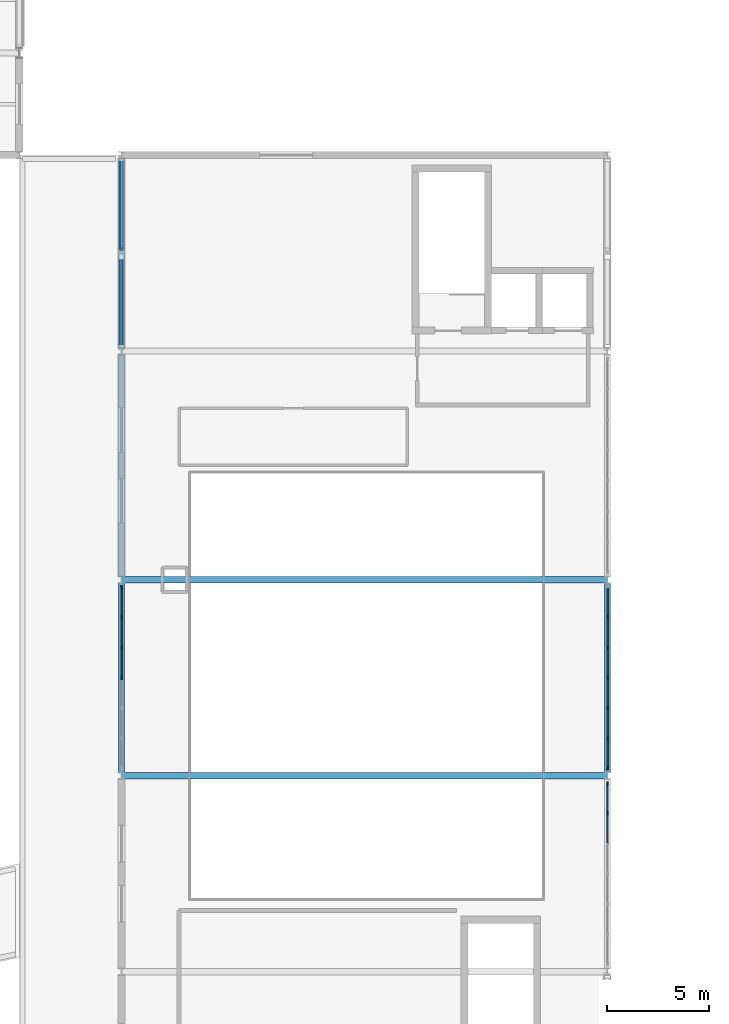
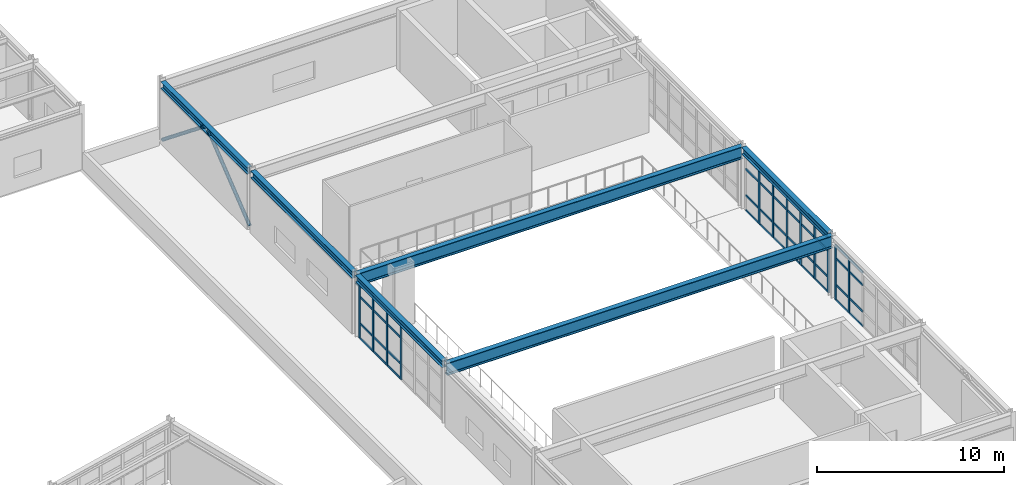
# One storey, part 38 of 76: 57 members, 6 beams, 3 elements without a shape of their own.
"""IFC4 building model written with IfcOpenShell, lengths in metres."""

from ifc_helpers import new_model, si_unit, direction, frame, origin, origin_2d, place, context, subcontext, project, spatial, rectangle, hollow_circle, i_section, extrude, material, layer, layer_set, material_profile, profile_set, type_object, element, aggregate, save


model = new_model("IFC4")

# Units and contexts
model_context = context("Model", 3, precision=1e-05, world=origin(), true_north=direction((0.0, 1.0)))
body_context = subcontext(model_context, "Body", "Model", "MODEL_VIEW")
ifc_project = project(units=[si_unit("LENGTHUNIT", "METRE"), si_unit("AREAUNIT", "SQUARE_METRE"), si_unit("VOLUMEUNIT", "CUBIC_METRE"), si_unit("PLANEANGLEUNIT", "RADIAN"), si_unit("MASSUNIT", "GRAM", prefix="KILO")], contexts=[model_context])

# Site, building, storey
site_placement = place(None, origin())
site = spatial("IfcSite", under=ifc_project, at=site_placement, CompositionType="ELEMENT")
building_placement = place(site_placement, origin())
building = spatial("IfcBuilding", under=site, at=building_placement, Name="Nordkorset Police Headquarters", CompositionType="ELEMENT")
storey_placement = place(building_placement, frame((0.0, 0.0, 13.64990234375)))
storey = spatial("IfcBuildingStorey", under=building, at=storey_placement, Name="L03", CompositionType="ELEMENT", Elevation=13.64990234375)

# Members
ifc_material_1 = material(Name="Steel S355J2", Category="steel")
ifc_material_profile_1 = material_profile(ifc_material_1, hollow_circle(Radius=0.109619140625, WallThickness=0.010009765625, at=origin_2d()), Name="CHS 219.1x10")
ifc_profile_set_1 = profile_set([ifc_material_profile_1], Name="Steel S355J2")
member_type_1 = type_object("IfcMemberType", Name="Brace_CHS_219.1x10", PredefinedType="BRACE", material=ifc_profile_set_1)
for number, where, z_axis, x_axis, name in (
    (1, (91.39990234375, 88.169921875, 0.2001953125), (0.0, 0.780898065567, 0.624658475644), (-1.0, 0.0, 0.0), "Lateral Chevron Brace BF-V5-A L03 D1"),
    (2, (91.39990234375, 97.429931640625, 0.2001953125), (0.0, -0.780881348411, 0.624679373522), (1.0, 0.0, 0.0), "Lateral Chevron Brace BF-V5-A L03 D2"),
):
    element("IfcMember", number, at=place(storey_placement, frame(where, z_axis=z_axis, x_axis=x_axis)), inside=storey, type_object=member_type_1, Name=name, PredefinedType="BRACE", context=body_context, shape_type="SweptSolid", body=[
        extrude(hollow_circle(Radius=0.109619140625, WallThickness=0.010009765625, at=origin_2d()), origin(), (0.0, 0.0, 1.0), 5.69873046875),
    ])

# Curtain wall, members
ifc_material_2 = material(Name="Aluminium alloy AW-6060", Category="aluminium")
ifc_layer = layer(ifc_material_2, 0.179931640625, Name="Aluminium alloy AW-6060")
ifc_layer_set = layer_set([ifc_layer], Name="Aluminium alloy AW-6060")
curtain_wall_type = type_object("IfcCurtainWallType", Name="CW_Unit_888x356", PredefinedType="USERDEFINED", material=ifc_layer_set)
curtain_wall_1_placement = place(storey_placement, origin())
curtain_wall_1 = element("IfcCurtainWall", 3, at=curtain_wall_1_placement, inside=storey, type_object=curtain_wall_type, Name="Unitised Curtain Wall L03 V5E-1", ObjectType="UNITISED CURTAIN WALL", PredefinedType="USERDEFINED")
ifc_material_3 = material(Name="Aluminium alloy AW-6060", Category="aluminium")
ifc_material_profile_2 = material_profile(ifc_material_3, rectangle(XDim=0.06494140625, YDim=0.179931640625, at=origin_2d()), Name="ALU MULL 65x180")
ifc_profile_set_2 = profile_set([ifc_material_profile_2], Name="Aluminium alloy AW-6060")
member_type_2 = type_object("IfcMemberType", Name="CW_Mullion_65x180", PredefinedType="MULLION", material=ifc_profile_set_2)
member_1_placement = place(storey_placement, frame((115.199951171875, 65.360107421875, 0.0), z_axis=(0.0, 0.0, 1.0), x_axis=(-1.0, 0.0, 0.0)))
member_1 = element("IfcMember", 4, at=member_1_placement, type_object=member_type_2, Name="CW-109 mullion 6", PredefinedType="MULLION", context=body_context, shape_type="SweptSolid", body=[
    extrude(rectangle(XDim=0.06494140625, YDim=0.179931640625, at=origin_2d()), origin(), (0.0, 0.0, 1.0), 3.565185546875),
])
member_2_placement = place(storey_placement, frame((115.199951171875, 66.8076171875, 0.0), z_axis=(0.0, 0.0, 1.0), x_axis=(-1.0, 0.0, 0.0)))
member_2 = element("IfcMember", 5, at=member_2_placement, type_object=member_type_2, Name="CW-109 mullion 7", PredefinedType="MULLION", context=body_context, shape_type="SweptSolid", body=[
    extrude(rectangle(XDim=0.06494140625, YDim=0.179931640625, at=origin_2d()), origin(), (0.0, 0.0, 1.0), 3.565185546875),
])

curtain_wall_2_placement = place(storey_placement, origin())
curtain_wall_2 = element("IfcCurtainWall", 6, at=curtain_wall_2_placement, inside=storey, type_object=curtain_wall_type, Name="Unitised Curtain Wall L03 V5E-2", ObjectType="UNITISED CURTAIN WALL", PredefinedType="USERDEFINED")
member_3_placement = place(storey_placement, frame((115.199951171875, 67.592529296875, 0.0), z_axis=(0.0, 0.0, 1.0), x_axis=(-1.0, 0.0, 0.0)))
member_3 = element("IfcMember", 7, at=member_3_placement, type_object=member_type_2, Name="CW-109 mullion 1", PredefinedType="MULLION", context=body_context, shape_type="SweptSolid", body=[
    extrude(rectangle(XDim=0.06494140625, YDim=0.179931640625, at=origin_2d()), origin(), (0.0, 0.0, 1.0), 3.565185546875),
])
member_4_placement = place(storey_placement, frame((115.199951171875, 69.0400390625, 0.0), z_axis=(0.0, 0.0, 1.0), x_axis=(-1.0, 0.0, 0.0)))
member_4 = element("IfcMember", 8, at=member_4_placement, type_object=member_type_2, Name="CW-109 mullion 2", PredefinedType="MULLION", context=body_context, shape_type="SweptSolid", body=[
    extrude(rectangle(XDim=0.06494140625, YDim=0.179931640625, at=origin_2d()), origin(), (0.0, 0.0, 1.0), 3.565185546875),
])
member_5_placement = place(storey_placement, frame((115.199951171875, 70.52001953125, 0.0), z_axis=(0.0, 0.0, 1.0), x_axis=(-1.0, 0.0, 0.0)))
member_5 = element("IfcMember", 9, at=member_5_placement, type_object=member_type_2, Name="CW-109 mullion 3", PredefinedType="MULLION", context=body_context, shape_type="SweptSolid", body=[
    extrude(rectangle(XDim=0.06494140625, YDim=0.179931640625, at=origin_2d()), origin(), (0.0, 0.0, 1.0), 3.565185546875),
])
member_6_placement = place(storey_placement, frame((115.199951171875, 72.0, 0.0), z_axis=(0.0, 0.0, 1.0), x_axis=(-1.0, 0.0, 0.0)))
member_6 = element("IfcMember", 10, at=member_6_placement, type_object=member_type_2, Name="CW-109 mullion 4", PredefinedType="MULLION", context=body_context, shape_type="SweptSolid", body=[
    extrude(rectangle(XDim=0.06494140625, YDim=0.179931640625, at=origin_2d()), origin(), (0.0, 0.0, 1.0), 3.565185546875),
])
member_7_placement = place(storey_placement, frame((115.199951171875, 73.47998046875, 0.0), z_axis=(0.0, 0.0, 1.0), x_axis=(-1.0, 0.0, 0.0)))
member_7 = element("IfcMember", 11, at=member_7_placement, type_object=member_type_2, Name="CW-109 mullion 5", PredefinedType="MULLION", context=body_context, shape_type="SweptSolid", body=[
    extrude(rectangle(XDim=0.06494140625, YDim=0.179931640625, at=origin_2d()), origin(), (0.0, 0.0, 1.0), 3.565185546875),
])
member_8_placement = place(storey_placement, frame((115.199951171875, 74.9599609375, 0.0), z_axis=(0.0, 0.0, 1.0), x_axis=(-1.0, 0.0, 0.0)))
member_8 = element("IfcMember", 12, at=member_8_placement, type_object=member_type_2, Name="CW-109 mullion 6", PredefinedType="MULLION", context=body_context, shape_type="SweptSolid", body=[
    extrude(rectangle(XDim=0.06494140625, YDim=0.179931640625, at=origin_2d()), origin(), (0.0, 0.0, 1.0), 3.565185546875),
])

curtain_wall_3_placement = place(storey_placement, origin())
curtain_wall_3 = element("IfcCurtainWall", 13, at=curtain_wall_3_placement, inside=storey, type_object=curtain_wall_type, Name="Unitised Curtain Wall L03 V5W-2", ObjectType="UNITISED CURTAIN WALL", PredefinedType="USERDEFINED")
member_9_placement = place(storey_placement, frame((91.39990234375, 72.0, 0.0), z_axis=(0.0, 0.0, 1.0), x_axis=(-1.0, 0.0, 0.0)))
member_9 = element("IfcMember", 14, at=member_9_placement, type_object=member_type_2, Name="CW-109 mullion 4", PredefinedType="MULLION", context=body_context, shape_type="SweptSolid", body=[
    extrude(rectangle(XDim=0.06494140625, YDim=0.179931640625, at=origin_2d()), origin(), (0.0, 0.0, 1.0), 3.565185546875),
])
member_10_placement = place(storey_placement, frame((91.39990234375, 73.47998046875, 0.0), z_axis=(0.0, 0.0, 1.0), x_axis=(-1.0, 0.0, 0.0)))
member_10 = element("IfcMember", 15, at=member_10_placement, type_object=member_type_2, Name="CW-109 mullion 5", PredefinedType="MULLION", context=body_context, shape_type="SweptSolid", body=[
    extrude(rectangle(XDim=0.06494140625, YDim=0.179931640625, at=origin_2d()), origin(), (0.0, 0.0, 1.0), 3.565185546875),
])
member_11_placement = place(storey_placement, frame((91.39990234375, 74.9599609375, 0.0), z_axis=(0.0, 0.0, 1.0), x_axis=(-1.0, 0.0, 0.0)))
member_11 = element("IfcMember", 16, at=member_11_placement, type_object=member_type_2, Name="CW-109 mullion 6", PredefinedType="MULLION", context=body_context, shape_type="SweptSolid", body=[
    extrude(rectangle(XDim=0.06494140625, YDim=0.179931640625, at=origin_2d()), origin(), (0.0, 0.0, 1.0), 3.565185546875),
])
member_12_placement = place(storey_placement, frame((91.39990234375, 76.407470703125, 0.0), z_axis=(0.0, 0.0, 1.0), x_axis=(-1.0, 0.0, 0.0)))
member_12 = element("IfcMember", 17, at=member_12_placement, type_object=member_type_2, Name="CW-109 mullion 7", PredefinedType="MULLION", context=body_context, shape_type="SweptSolid", body=[
    extrude(rectangle(XDim=0.06494140625, YDim=0.179931640625, at=origin_2d()), origin(), (0.0, 0.0, 1.0), 3.565185546875),
])

# Member
ifc_material_4 = material(Name="Aluminium alloy AW-6060", Category="aluminium")
ifc_material_profile_3 = material_profile(ifc_material_4, rectangle(XDim=0.06494140625, YDim=0.139892578125, at=origin_2d()), Name="ALU TRAN 65x140")
ifc_profile_set_3 = profile_set([ifc_material_profile_3], Name="Aluminium alloy AW-6060")
member_type_3 = type_object("IfcMemberType", Name="CW_Transom_65x140", PredefinedType="USERDEFINED", material=ifc_profile_set_3)
member_13_placement = place(storey_placement, frame((115.199951171875, 63.91259765625, 0.03271484375), z_axis=(0.0, 1.0, 0.0), x_axis=(-1.0, 0.0, 0.0)))
member_13 = element("IfcMember", 18, at=member_13_placement, type_object=member_type_3, Name="CW-109 transom 5.1", ObjectType="TRANSOM", PredefinedType="USERDEFINED", context=body_context, shape_type="SweptSolid", body=[
    extrude(rectangle(XDim=0.06494140625, YDim=0.139892578125, at=origin_2d()), origin(), (0.0, 0.0, 1.0), 1.414794921875),
])

member_14_placement = place(storey_placement, frame((115.199951171875, 63.91259765625, 1.0), z_axis=(0.0, 1.0, 0.0), x_axis=(-1.0, 0.0, 0.0)))
member_14 = element("IfcMember", 19, at=member_14_placement, type_object=member_type_3, Name="CW-109 transom 5.2", ObjectType="TRANSOM", PredefinedType="USERDEFINED", context=body_context, shape_type="SweptSolid", body=[
    extrude(rectangle(XDim=0.06494140625, YDim=0.139892578125, at=origin_2d()), origin(), (0.0, 0.0, 1.0), 1.414794921875),
])

member_15_placement = place(storey_placement, frame((115.199951171875, 63.91259765625, 2.715087890625), z_axis=(0.0, 1.0, 0.0), x_axis=(-1.0, 0.0, 0.0)))
member_15 = element("IfcMember", 20, at=member_15_placement, type_object=member_type_3, Name="CW-109 transom 5.3", ObjectType="TRANSOM", PredefinedType="USERDEFINED", context=body_context, shape_type="SweptSolid", body=[
    extrude(rectangle(XDim=0.06494140625, YDim=0.139892578125, at=origin_2d()), origin(), (0.0, 0.0, 1.0), 1.414794921875),
])

member_16_placement = place(storey_placement, frame((115.199951171875, 63.91259765625, 3.53271484375), z_axis=(0.0, 1.0, 0.0), x_axis=(-1.0, 0.0, 0.0)))
member_16 = element("IfcMember", 21, at=member_16_placement, type_object=member_type_3, Name="CW-109 transom 5.4", ObjectType="TRANSOM", PredefinedType="USERDEFINED", context=body_context, shape_type="SweptSolid", body=[
    extrude(rectangle(XDim=0.06494140625, YDim=0.139892578125, at=origin_2d()), origin(), (0.0, 0.0, 1.0), 1.414794921875),
])

member_17_placement = place(storey_placement, frame((115.199951171875, 65.392578125, 0.03271484375), z_axis=(0.0, 1.0, 0.0), x_axis=(-1.0, 0.0, 0.0)))
member_17 = element("IfcMember", 22, at=member_17_placement, type_object=member_type_3, Name="CW-109 transom 6.1", ObjectType="TRANSOM", PredefinedType="USERDEFINED", context=body_context, shape_type="SweptSolid", body=[
    extrude(rectangle(XDim=0.06494140625, YDim=0.139892578125, at=origin_2d()), origin(), (0.0, 0.0, 1.0), 1.38232421875),
])

member_18_placement = place(storey_placement, frame((115.199951171875, 65.392578125, 1.0), z_axis=(0.0, 1.0, 0.0), x_axis=(-1.0, 0.0, 0.0)))
member_18 = element("IfcMember", 23, at=member_18_placement, type_object=member_type_3, Name="CW-109 transom 6.2", ObjectType="TRANSOM", PredefinedType="USERDEFINED", context=body_context, shape_type="SweptSolid", body=[
    extrude(rectangle(XDim=0.06494140625, YDim=0.139892578125, at=origin_2d()), origin(), (0.0, 0.0, 1.0), 1.38232421875),
])

member_19_placement = place(storey_placement, frame((115.199951171875, 65.392578125, 2.715087890625), z_axis=(0.0, 1.0, 0.0), x_axis=(-1.0, 0.0, 0.0)))
member_19 = element("IfcMember", 24, at=member_19_placement, type_object=member_type_3, Name="CW-109 transom 6.3", ObjectType="TRANSOM", PredefinedType="USERDEFINED", context=body_context, shape_type="SweptSolid", body=[
    extrude(rectangle(XDim=0.06494140625, YDim=0.139892578125, at=origin_2d()), origin(), (0.0, 0.0, 1.0), 1.38232421875),
])

member_20_placement = place(storey_placement, frame((115.199951171875, 65.392578125, 3.53271484375), z_axis=(0.0, 1.0, 0.0), x_axis=(-1.0, 0.0, 0.0)))
member_20 = element("IfcMember", 25, at=member_20_placement, type_object=member_type_3, Name="CW-109 transom 6.4", ObjectType="TRANSOM", PredefinedType="USERDEFINED", context=body_context, shape_type="SweptSolid", body=[
    extrude(rectangle(XDim=0.06494140625, YDim=0.139892578125, at=origin_2d()), origin(), (0.0, 0.0, 1.0), 1.38232421875),
])

aggregate(curtain_wall_1, [member_1, member_2, member_13, member_14, member_15, member_16, member_17, member_18, member_19, member_20])

member_21_placement = place(storey_placement, frame((115.199951171875, 67.625, 0.03271484375), z_axis=(0.0, 1.0, 0.0), x_axis=(-1.0, 0.0, 0.0)))
member_21 = element("IfcMember", 26, at=member_21_placement, type_object=member_type_3, Name="CW-109 transom 1.1", ObjectType="TRANSOM", PredefinedType="USERDEFINED", context=body_context, shape_type="SweptSolid", body=[
    extrude(rectangle(XDim=0.06494140625, YDim=0.139892578125, at=origin_2d()), origin(), (0.0, 0.0, 1.0), 1.382568359375),
])

member_22_placement = place(storey_placement, frame((115.199951171875, 67.625, 1.0), z_axis=(0.0, 1.0, 0.0), x_axis=(-1.0, 0.0, 0.0)))
member_22 = element("IfcMember", 27, at=member_22_placement, type_object=member_type_3, Name="CW-109 transom 1.2", ObjectType="TRANSOM", PredefinedType="USERDEFINED", context=body_context, shape_type="SweptSolid", body=[
    extrude(rectangle(XDim=0.06494140625, YDim=0.139892578125, at=origin_2d()), origin(), (0.0, 0.0, 1.0), 1.382568359375),
])

member_23_placement = place(storey_placement, frame((115.199951171875, 67.625, 2.715087890625), z_axis=(0.0, 1.0, 0.0), x_axis=(-1.0, 0.0, 0.0)))
member_23 = element("IfcMember", 28, at=member_23_placement, type_object=member_type_3, Name="CW-109 transom 1.3", ObjectType="TRANSOM", PredefinedType="USERDEFINED", context=body_context, shape_type="SweptSolid", body=[
    extrude(rectangle(XDim=0.06494140625, YDim=0.139892578125, at=origin_2d()), origin(), (0.0, 0.0, 1.0), 1.382568359375),
])

member_24_placement = place(storey_placement, frame((115.199951171875, 67.625, 3.53271484375), z_axis=(0.0, 1.0, 0.0), x_axis=(-1.0, 0.0, 0.0)))
member_24 = element("IfcMember", 29, at=member_24_placement, type_object=member_type_3, Name="CW-109 transom 1.4", ObjectType="TRANSOM", PredefinedType="USERDEFINED", context=body_context, shape_type="SweptSolid", body=[
    extrude(rectangle(XDim=0.06494140625, YDim=0.139892578125, at=origin_2d()), origin(), (0.0, 0.0, 1.0), 1.382568359375),
])

member_25_placement = place(storey_placement, frame((115.199951171875, 69.072509765625, 0.03271484375), z_axis=(0.0, 1.0, 0.0), x_axis=(-1.0, 0.0, 0.0)))
member_25 = element("IfcMember", 30, at=member_25_placement, type_object=member_type_3, Name="CW-109 transom 2.1", ObjectType="TRANSOM", PredefinedType="USERDEFINED", context=body_context, shape_type="SweptSolid", body=[
    extrude(rectangle(XDim=0.06494140625, YDim=0.139892578125, at=origin_2d()), origin(), (0.0, 0.0, 1.0), 1.4150390625),
])

member_26_placement = place(storey_placement, frame((115.199951171875, 69.072509765625, 1.0), z_axis=(0.0, 1.0, 0.0), x_axis=(-1.0, 0.0, 0.0)))
member_26 = element("IfcMember", 31, at=member_26_placement, type_object=member_type_3, Name="CW-109 transom 2.2", ObjectType="TRANSOM", PredefinedType="USERDEFINED", context=body_context, shape_type="SweptSolid", body=[
    extrude(rectangle(XDim=0.06494140625, YDim=0.139892578125, at=origin_2d()), origin(), (0.0, 0.0, 1.0), 1.4150390625),
])

member_27_placement = place(storey_placement, frame((115.199951171875, 69.072509765625, 2.715087890625), z_axis=(0.0, 1.0, 0.0), x_axis=(-1.0, 0.0, 0.0)))
member_27 = element("IfcMember", 32, at=member_27_placement, type_object=member_type_3, Name="CW-109 transom 2.3", ObjectType="TRANSOM", PredefinedType="USERDEFINED", context=body_context, shape_type="SweptSolid", body=[
    extrude(rectangle(XDim=0.06494140625, YDim=0.139892578125, at=origin_2d()), origin(), (0.0, 0.0, 1.0), 1.4150390625),
])

member_28_placement = place(storey_placement, frame((115.199951171875, 69.072509765625, 3.53271484375), z_axis=(0.0, 1.0, 0.0), x_axis=(-1.0, 0.0, 0.0)))
member_28 = element("IfcMember", 33, at=member_28_placement, type_object=member_type_3, Name="CW-109 transom 2.4", ObjectType="TRANSOM", PredefinedType="USERDEFINED", context=body_context, shape_type="SweptSolid", body=[
    extrude(rectangle(XDim=0.06494140625, YDim=0.139892578125, at=origin_2d()), origin(), (0.0, 0.0, 1.0), 1.4150390625),
])

member_29_placement = place(storey_placement, frame((115.199951171875, 70.552490234375, 0.03271484375), z_axis=(0.0, 1.0, 0.0), x_axis=(-1.0, 0.0, 0.0)))
member_29 = element("IfcMember", 34, at=member_29_placement, type_object=member_type_3, Name="CW-109 transom 3.1", ObjectType="TRANSOM", PredefinedType="USERDEFINED", context=body_context, shape_type="SweptSolid", body=[
    extrude(rectangle(XDim=0.06494140625, YDim=0.139892578125, at=origin_2d()), origin(), (0.0, 0.0, 1.0), 1.4150390625),
])

member_30_placement = place(storey_placement, frame((115.199951171875, 70.552490234375, 1.0), z_axis=(0.0, 1.0, 0.0), x_axis=(-1.0, 0.0, 0.0)))
member_30 = element("IfcMember", 35, at=member_30_placement, type_object=member_type_3, Name="CW-109 transom 3.2", ObjectType="TRANSOM", PredefinedType="USERDEFINED", context=body_context, shape_type="SweptSolid", body=[
    extrude(rectangle(XDim=0.06494140625, YDim=0.139892578125, at=origin_2d()), origin(), (0.0, 0.0, 1.0), 1.4150390625),
])

member_31_placement = place(storey_placement, frame((115.199951171875, 70.552490234375, 2.715087890625), z_axis=(0.0, 1.0, 0.0), x_axis=(-1.0, 0.0, 0.0)))
member_31 = element("IfcMember", 36, at=member_31_placement, type_object=member_type_3, Name="CW-109 transom 3.3", ObjectType="TRANSOM", PredefinedType="USERDEFINED", context=body_context, shape_type="SweptSolid", body=[
    extrude(rectangle(XDim=0.06494140625, YDim=0.139892578125, at=origin_2d()), origin(), (0.0, 0.0, 1.0), 1.4150390625),
])

member_32_placement = place(storey_placement, frame((115.199951171875, 70.552490234375, 3.53271484375), z_axis=(0.0, 1.0, 0.0), x_axis=(-1.0, 0.0, 0.0)))
member_32 = element("IfcMember", 37, at=member_32_placement, type_object=member_type_3, Name="CW-109 transom 3.4", ObjectType="TRANSOM", PredefinedType="USERDEFINED", context=body_context, shape_type="SweptSolid", body=[
    extrude(rectangle(XDim=0.06494140625, YDim=0.139892578125, at=origin_2d()), origin(), (0.0, 0.0, 1.0), 1.4150390625),
])

member_33_placement = place(storey_placement, frame((115.199951171875, 72.032470703125, 0.03271484375), z_axis=(0.0, 1.0, 0.0), x_axis=(-1.0, 0.0, 0.0)))
member_33 = element("IfcMember", 38, at=member_33_placement, type_object=member_type_3, Name="CW-109 transom 4.1", ObjectType="TRANSOM", PredefinedType="USERDEFINED", context=body_context, shape_type="SweptSolid", body=[
    extrude(rectangle(XDim=0.06494140625, YDim=0.139892578125, at=origin_2d()), origin(), (0.0, 0.0, 1.0), 1.4150390625),
])

member_34_placement = place(storey_placement, frame((115.199951171875, 72.032470703125, 1.0), z_axis=(0.0, 1.0, 0.0), x_axis=(-1.0, 0.0, 0.0)))
member_34 = element("IfcMember", 39, at=member_34_placement, type_object=member_type_3, Name="CW-109 transom 4.2", ObjectType="TRANSOM", PredefinedType="USERDEFINED", context=body_context, shape_type="SweptSolid", body=[
    extrude(rectangle(XDim=0.06494140625, YDim=0.139892578125, at=origin_2d()), origin(), (0.0, 0.0, 1.0), 1.4150390625),
])

member_35_placement = place(storey_placement, frame((115.199951171875, 72.032470703125, 2.715087890625), z_axis=(0.0, 1.0, 0.0), x_axis=(-1.0, 0.0, 0.0)))
member_35 = element("IfcMember", 40, at=member_35_placement, type_object=member_type_3, Name="CW-109 transom 4.3", ObjectType="TRANSOM", PredefinedType="USERDEFINED", context=body_context, shape_type="SweptSolid", body=[
    extrude(rectangle(XDim=0.06494140625, YDim=0.139892578125, at=origin_2d()), origin(), (0.0, 0.0, 1.0), 1.4150390625),
])

member_36_placement = place(storey_placement, frame((115.199951171875, 72.032470703125, 3.53271484375), z_axis=(0.0, 1.0, 0.0), x_axis=(-1.0, 0.0, 0.0)))
member_36 = element("IfcMember", 41, at=member_36_placement, type_object=member_type_3, Name="CW-109 transom 4.4", ObjectType="TRANSOM", PredefinedType="USERDEFINED", context=body_context, shape_type="SweptSolid", body=[
    extrude(rectangle(XDim=0.06494140625, YDim=0.139892578125, at=origin_2d()), origin(), (0.0, 0.0, 1.0), 1.4150390625),
])

member_37_placement = place(storey_placement, frame((115.199951171875, 73.512451171875, 0.03271484375), z_axis=(0.0, 1.0, 0.0), x_axis=(-1.0, 0.0, 0.0)))
member_37 = element("IfcMember", 42, at=member_37_placement, type_object=member_type_3, Name="CW-109 transom 5.1", ObjectType="TRANSOM", PredefinedType="USERDEFINED", context=body_context, shape_type="SweptSolid", body=[
    extrude(rectangle(XDim=0.06494140625, YDim=0.139892578125, at=origin_2d()), origin(), (0.0, 0.0, 1.0), 1.4150390625),
])

member_38_placement = place(storey_placement, frame((115.199951171875, 73.512451171875, 1.0), z_axis=(0.0, 1.0, 0.0), x_axis=(-1.0, 0.0, 0.0)))
member_38 = element("IfcMember", 43, at=member_38_placement, type_object=member_type_3, Name="CW-109 transom 5.2", ObjectType="TRANSOM", PredefinedType="USERDEFINED", context=body_context, shape_type="SweptSolid", body=[
    extrude(rectangle(XDim=0.06494140625, YDim=0.139892578125, at=origin_2d()), origin(), (0.0, 0.0, 1.0), 1.4150390625),
])

member_39_placement = place(storey_placement, frame((115.199951171875, 73.512451171875, 2.715087890625), z_axis=(0.0, 1.0, 0.0), x_axis=(-1.0, 0.0, 0.0)))
member_39 = element("IfcMember", 44, at=member_39_placement, type_object=member_type_3, Name="CW-109 transom 5.3", ObjectType="TRANSOM", PredefinedType="USERDEFINED", context=body_context, shape_type="SweptSolid", body=[
    extrude(rectangle(XDim=0.06494140625, YDim=0.139892578125, at=origin_2d()), origin(), (0.0, 0.0, 1.0), 1.4150390625),
])

member_40_placement = place(storey_placement, frame((115.199951171875, 73.512451171875, 3.53271484375), z_axis=(0.0, 1.0, 0.0), x_axis=(-1.0, 0.0, 0.0)))
member_40 = element("IfcMember", 45, at=member_40_placement, type_object=member_type_3, Name="CW-109 transom 5.4", ObjectType="TRANSOM", PredefinedType="USERDEFINED", context=body_context, shape_type="SweptSolid", body=[
    extrude(rectangle(XDim=0.06494140625, YDim=0.139892578125, at=origin_2d()), origin(), (0.0, 0.0, 1.0), 1.4150390625),
])

member_41_placement = place(storey_placement, frame((115.199951171875, 74.992431640625, 0.03271484375), z_axis=(0.0, 1.0, 0.0), x_axis=(-1.0, 0.0, 0.0)))
member_41 = element("IfcMember", 46, at=member_41_placement, type_object=member_type_3, Name="CW-109 transom 6.1", ObjectType="TRANSOM", PredefinedType="USERDEFINED", context=body_context, shape_type="SweptSolid", body=[
    extrude(rectangle(XDim=0.06494140625, YDim=0.139892578125, at=origin_2d()), origin(), (0.0, 0.0, 1.0), 1.382568359375),
])

member_42_placement = place(storey_placement, frame((115.199951171875, 74.992431640625, 1.0), z_axis=(0.0, 1.0, 0.0), x_axis=(-1.0, 0.0, 0.0)))
member_42 = element("IfcMember", 47, at=member_42_placement, type_object=member_type_3, Name="CW-109 transom 6.2", ObjectType="TRANSOM", PredefinedType="USERDEFINED", context=body_context, shape_type="SweptSolid", body=[
    extrude(rectangle(XDim=0.06494140625, YDim=0.139892578125, at=origin_2d()), origin(), (0.0, 0.0, 1.0), 1.382568359375),
])

member_43_placement = place(storey_placement, frame((115.199951171875, 74.992431640625, 2.715087890625), z_axis=(0.0, 1.0, 0.0), x_axis=(-1.0, 0.0, 0.0)))
member_43 = element("IfcMember", 48, at=member_43_placement, type_object=member_type_3, Name="CW-109 transom 6.3", ObjectType="TRANSOM", PredefinedType="USERDEFINED", context=body_context, shape_type="SweptSolid", body=[
    extrude(rectangle(XDim=0.06494140625, YDim=0.139892578125, at=origin_2d()), origin(), (0.0, 0.0, 1.0), 1.382568359375),
])

aggregate(curtain_wall_2, [member_3, member_4, member_5, member_6, member_7, member_8, member_21, member_22, member_23, member_24, member_25, member_26, member_27, member_28, member_29, member_30, member_31, member_32, member_33, member_34, member_35, member_36, member_37, member_38, member_39, member_40, member_41, member_42, member_43])

member_44_placement = place(storey_placement, frame((91.39990234375, 72.032470703125, 0.03271484375), z_axis=(0.0, 1.0, 0.0), x_axis=(-1.0, 0.0, 0.0)))
member_44 = element("IfcMember", 49, at=member_44_placement, type_object=member_type_3, Name="CW-109 transom 4.1", ObjectType="TRANSOM", PredefinedType="USERDEFINED", context=body_context, shape_type="SweptSolid", body=[
    extrude(rectangle(XDim=0.06494140625, YDim=0.139892578125, at=origin_2d()), origin(), (0.0, 0.0, 1.0), 1.4150390625),
])

member_45_placement = place(storey_placement, frame((91.39990234375, 72.032470703125, 1.0), z_axis=(0.0, 1.0, 0.0), x_axis=(-1.0, 0.0, 0.0)))
member_45 = element("IfcMember", 50, at=member_45_placement, type_object=member_type_3, Name="CW-109 transom 4.2", ObjectType="TRANSOM", PredefinedType="USERDEFINED", context=body_context, shape_type="SweptSolid", body=[
    extrude(rectangle(XDim=0.06494140625, YDim=0.139892578125, at=origin_2d()), origin(), (0.0, 0.0, 1.0), 1.4150390625),
])

member_46_placement = place(storey_placement, frame((91.39990234375, 72.032470703125, 2.715087890625), z_axis=(0.0, 1.0, 0.0), x_axis=(-1.0, 0.0, 0.0)))
member_46 = element("IfcMember", 51, at=member_46_placement, type_object=member_type_3, Name="CW-109 transom 4.3", ObjectType="TRANSOM", PredefinedType="USERDEFINED", context=body_context, shape_type="SweptSolid", body=[
    extrude(rectangle(XDim=0.06494140625, YDim=0.139892578125, at=origin_2d()), origin(), (0.0, 0.0, 1.0), 1.4150390625),
])

member_47_placement = place(storey_placement, frame((91.39990234375, 72.032470703125, 3.53271484375), z_axis=(0.0, 1.0, 0.0), x_axis=(-1.0, 0.0, 0.0)))
member_47 = element("IfcMember", 52, at=member_47_placement, type_object=member_type_3, Name="CW-109 transom 4.4", ObjectType="TRANSOM", PredefinedType="USERDEFINED", context=body_context, shape_type="SweptSolid", body=[
    extrude(rectangle(XDim=0.06494140625, YDim=0.139892578125, at=origin_2d()), origin(), (0.0, 0.0, 1.0), 1.4150390625),
])

member_48_placement = place(storey_placement, frame((91.39990234375, 73.512451171875, 0.03271484375), z_axis=(0.0, 1.0, 0.0), x_axis=(-1.0, 0.0, 0.0)))
member_48 = element("IfcMember", 53, at=member_48_placement, type_object=member_type_3, Name="CW-109 transom 5.1", ObjectType="TRANSOM", PredefinedType="USERDEFINED", context=body_context, shape_type="SweptSolid", body=[
    extrude(rectangle(XDim=0.06494140625, YDim=0.139892578125, at=origin_2d()), origin(), (0.0, 0.0, 1.0), 1.4150390625),
])

member_49_placement = place(storey_placement, frame((91.39990234375, 73.512451171875, 1.0), z_axis=(0.0, 1.0, 0.0), x_axis=(-1.0, 0.0, 0.0)))
member_49 = element("IfcMember", 54, at=member_49_placement, type_object=member_type_3, Name="CW-109 transom 5.2", ObjectType="TRANSOM", PredefinedType="USERDEFINED", context=body_context, shape_type="SweptSolid", body=[
    extrude(rectangle(XDim=0.06494140625, YDim=0.139892578125, at=origin_2d()), origin(), (0.0, 0.0, 1.0), 1.4150390625),
])

member_50_placement = place(storey_placement, frame((91.39990234375, 73.512451171875, 2.715087890625), z_axis=(0.0, 1.0, 0.0), x_axis=(-1.0, 0.0, 0.0)))
member_50 = element("IfcMember", 55, at=member_50_placement, type_object=member_type_3, Name="CW-109 transom 5.3", ObjectType="TRANSOM", PredefinedType="USERDEFINED", context=body_context, shape_type="SweptSolid", body=[
    extrude(rectangle(XDim=0.06494140625, YDim=0.139892578125, at=origin_2d()), origin(), (0.0, 0.0, 1.0), 1.4150390625),
])

member_51_placement = place(storey_placement, frame((91.39990234375, 73.512451171875, 3.53271484375), z_axis=(0.0, 1.0, 0.0), x_axis=(-1.0, 0.0, 0.0)))
member_51 = element("IfcMember", 56, at=member_51_placement, type_object=member_type_3, Name="CW-109 transom 5.4", ObjectType="TRANSOM", PredefinedType="USERDEFINED", context=body_context, shape_type="SweptSolid", body=[
    extrude(rectangle(XDim=0.06494140625, YDim=0.139892578125, at=origin_2d()), origin(), (0.0, 0.0, 1.0), 1.4150390625),
])

member_52_placement = place(storey_placement, frame((91.39990234375, 74.992431640625, 0.03271484375), z_axis=(0.0, 1.0, 0.0), x_axis=(-1.0, 0.0, 0.0)))
member_52 = element("IfcMember", 57, at=member_52_placement, type_object=member_type_3, Name="CW-109 transom 6.1", ObjectType="TRANSOM", PredefinedType="USERDEFINED", context=body_context, shape_type="SweptSolid", body=[
    extrude(rectangle(XDim=0.06494140625, YDim=0.139892578125, at=origin_2d()), origin(), (0.0, 0.0, 1.0), 1.382568359375),
])

member_53_placement = place(storey_placement, frame((91.39990234375, 74.992431640625, 1.0), z_axis=(0.0, 1.0, 0.0), x_axis=(-1.0, 0.0, 0.0)))
member_53 = element("IfcMember", 58, at=member_53_placement, type_object=member_type_3, Name="CW-109 transom 6.2", ObjectType="TRANSOM", PredefinedType="USERDEFINED", context=body_context, shape_type="SweptSolid", body=[
    extrude(rectangle(XDim=0.06494140625, YDim=0.139892578125, at=origin_2d()), origin(), (0.0, 0.0, 1.0), 1.382568359375),
])

member_54_placement = place(storey_placement, frame((91.39990234375, 74.992431640625, 2.715087890625), z_axis=(0.0, 1.0, 0.0), x_axis=(-1.0, 0.0, 0.0)))
member_54 = element("IfcMember", 59, at=member_54_placement, type_object=member_type_3, Name="CW-109 transom 6.3", ObjectType="TRANSOM", PredefinedType="USERDEFINED", context=body_context, shape_type="SweptSolid", body=[
    extrude(rectangle(XDim=0.06494140625, YDim=0.139892578125, at=origin_2d()), origin(), (0.0, 0.0, 1.0), 1.382568359375),
])

member_55_placement = place(storey_placement, frame((91.39990234375, 74.992431640625, 3.53271484375), z_axis=(0.0, 1.0, 0.0), x_axis=(-1.0, 0.0, 0.0)))
member_55 = element("IfcMember", 60, at=member_55_placement, type_object=member_type_3, Name="CW-109 transom 6.4", ObjectType="TRANSOM", PredefinedType="USERDEFINED", context=body_context, shape_type="SweptSolid", body=[
    extrude(rectangle(XDim=0.06494140625, YDim=0.139892578125, at=origin_2d()), origin(), (0.0, 0.0, 1.0), 1.382568359375),
])

aggregate(curtain_wall_3, [member_9, member_10, member_11, member_12, member_44, member_45, member_46, member_47, member_48, member_49, member_50, member_51, member_52, member_53, member_54, member_55])

# Beams
ifc_material_5 = material(Name="Steel S355J2", Category="steel")
ifc_material_profile_4 = material_profile(ifc_material_5, i_section(OverallWidth=0.300048828125, OverallDepth=0.43994140625, WebThickness=0.011474609375, FlangeThickness=0.02099609375, FilletRadius=0.027099609375, at=origin_2d()), Name="HEA 450")
ifc_profile_set_4 = profile_set([ifc_material_profile_4], Name="Steel S355J2")
beam_type_1 = type_object("IfcBeamType", Name="Girder_HEA_450", PredefinedType="USERDEFINED", material=ifc_profile_set_4)
beam_1_placement = place(storey_placement, frame((91.39990234375, 67.3701171875, 3.80517578125), z_axis=(0.0, 1.0, 0.0), x_axis=(-1.0, 0.0, 0.0)))
element("IfcBeam", 61, at=beam_1_placement, inside=storey, type_object=beam_type_1, Name="Girder V5 L03 GY-0-2", ObjectType="GIRDER", PredefinedType="USERDEFINED", context=body_context, shape_type="SweptSolid", body=[
    extrude(i_section(OverallWidth=0.300048828125, OverallDepth=0.43994140625, WebThickness=0.011474609375, FlangeThickness=0.02099609375, FilletRadius=0.027099609375, at=origin_2d()), origin(), (0.0, 0.0, 1.0), 9.259765625),
])
beam_2_placement = place(storey_placement, frame((91.39990234375, 76.969970703125, 3.80517578125), z_axis=(0.0, 1.0, 0.0), x_axis=(-1.0, 0.0, 0.0)))
element("IfcBeam", 62, at=beam_2_placement, inside=storey, type_object=beam_type_1, Name="Girder V5 L03 GY-0-3", ObjectType="GIRDER", PredefinedType="USERDEFINED", context=body_context, shape_type="SweptSolid", body=[
    extrude(i_section(OverallWidth=0.300048828125, OverallDepth=0.43994140625, WebThickness=0.011474609375, FlangeThickness=0.02099609375, FilletRadius=0.027099609375, at=origin_2d()), origin(), (0.0, 0.0, 1.0), 10.860107421875),
])
beam_3_placement = place(storey_placement, frame((91.39990234375, 88.169921875, 3.80517578125), z_axis=(0.0, 1.0, 0.0), x_axis=(-1.0, 0.0, 0.0)))
element("IfcBeam", 63, at=beam_3_placement, inside=storey, type_object=beam_type_1, Name="Girder V5 L03 GY-0-4", ObjectType="GIRDER", PredefinedType="USERDEFINED", context=body_context, shape_type="SweptSolid", body=[
    extrude(i_section(OverallWidth=0.300048828125, OverallDepth=0.43994140625, WebThickness=0.011474609375, FlangeThickness=0.02099609375, FilletRadius=0.027099609375, at=origin_2d()), origin(), (0.0, 0.0, 1.0), 9.260009765625),
])
beam_4_placement = place(storey_placement, frame((115.199951171875, 67.3701171875, 3.80517578125), z_axis=(0.0, 1.0, 0.0), x_axis=(-1.0, 0.0, 0.0)))
element("IfcBeam", 64, at=beam_4_placement, inside=storey, type_object=beam_type_1, Name="Girder V5 L03 GY-1-2", ObjectType="GIRDER", PredefinedType="USERDEFINED", context=body_context, shape_type="SweptSolid", body=[
    extrude(i_section(OverallWidth=0.300048828125, OverallDepth=0.43994140625, WebThickness=0.011474609375, FlangeThickness=0.02099609375, FilletRadius=0.027099609375, at=origin_2d()), origin(), (0.0, 0.0, 1.0), 9.259765625),
])
ifc_material_6 = material(Name="Steel S355J2", Category="steel")
ifc_material_profile_5 = material_profile(ifc_material_6, i_section(OverallWidth=0.300048828125, OverallDepth=0.800048828125, WebThickness=0.017578125, FlangeThickness=0.032958984375, FilletRadius=0.030029296875, at=origin_2d()), Name="HEB 800")
ifc_profile_set_5 = profile_set([ifc_material_profile_5], Name="Steel S355J2")
beam_type_2 = type_object("IfcBeamType", Name="Girder_HEB_800", PredefinedType="USERDEFINED", material=ifc_profile_set_5)
for number, where, z_axis, x_axis, name in (
    (65, (91.406005859375, 67.199951171875, 3.625), (1.0, 0.0, 0.0), (0.0, 1.0, 0.0), "Girder V5 L03 GX-2-0"),
    (66, (91.406005859375, 76.800048828125, 3.625), (1.0, 0.0, 0.0), (0.0, 1.0, 0.0), "Girder V5 L03 GX-3-0"),
):
    element("IfcBeam", number, at=place(storey_placement, frame(where, z_axis=z_axis, x_axis=x_axis)), inside=storey, type_object=beam_type_2, Name=name, ObjectType="GIRDER", PredefinedType="USERDEFINED", context=body_context, shape_type="SweptSolid", body=[
        extrude(i_section(OverallWidth=0.300048828125, OverallDepth=0.800048828125, WebThickness=0.017578125, FlangeThickness=0.032958984375, FilletRadius=0.030029296875, at=origin_2d()), origin(), (0.0, 0.0, 1.0), 23.7880859375),
    ])

save(model, "model.ifc")
